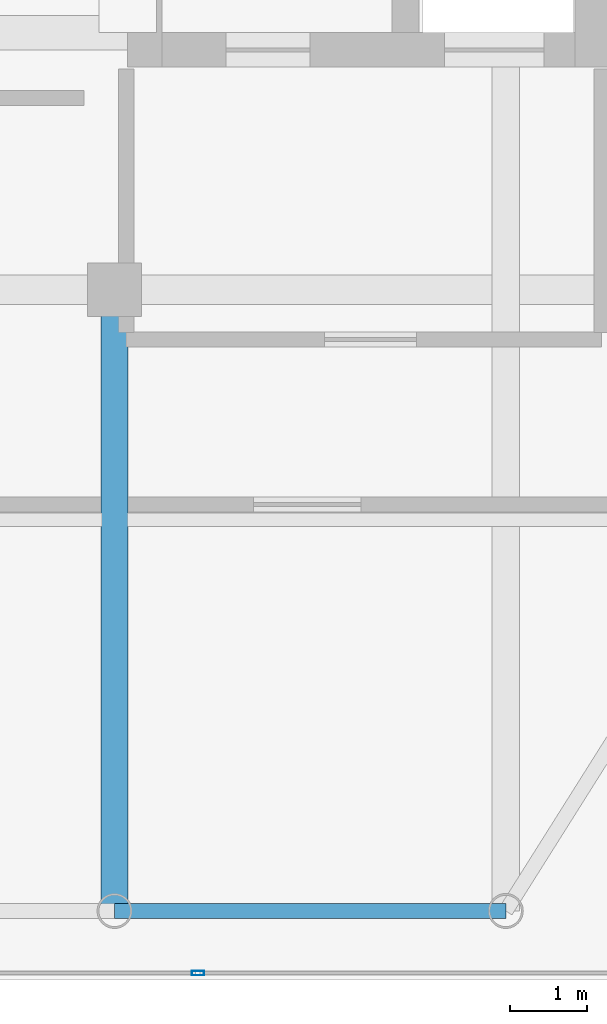
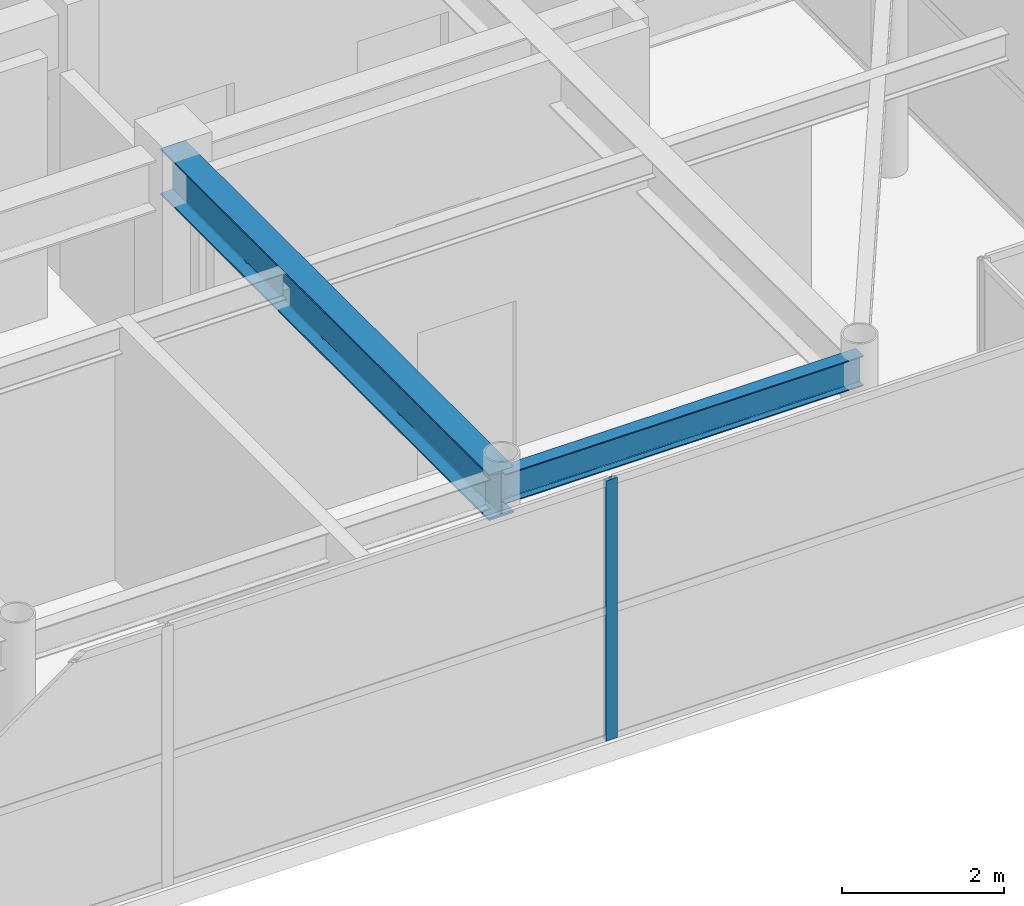
# One storey, part 9 of 33: 2 beams, 1 member, 1 element without a shape of its own.
"""IFC4 building model written with IfcOpenShell, lengths in metres."""

import ifcopenshell
import ifcopenshell.guid

model = None  # the IFC model being written
_history = None  # IfcOwnerHistory: only IFC2X3 demands one
_inside = {}  # id of a spatial element -> (the spatial element, [elements in it])
_under = {}  # id of a project, library or spatial element -> (it, [spatial elements below it])
_declared = {}  # id of a project -> (the project, [libraries it declares])
_typed = {}  # id of a type object -> (the type object, [elements of that type])
_made_of = {}  # id of a material, layer set ... -> (it, [elements and type objects made of it])


def new_model(schema):
    """Start an empty IFC model of exactly this schema.

    Asked for "IFC4X3", IfcOpenShell would pick the latest addendum, in which some entities
    have other attributes; the version numbers below select the first issue.
    IFC2X3 requires an IfcOwnerHistory on every rooted entity: one is made here for all.
    """
    global model, _history
    if schema == "IFC4X3":
        model = ifcopenshell.file(schema_version=(4, 3, 0, 0))
    else:
        model = ifcopenshell.file(schema=schema)
    _inside.clear()
    _under.clear()
    _declared.clear()
    _typed.clear()
    _made_of.clear()
    _history = None
    if model.schema == "IFC2X3":
        org = make("IfcOrganization", Name="unknown")
        user = make(
            "IfcPersonAndOrganization",
            ThePerson=make("IfcPerson", FamilyName="unknown"),
            TheOrganization=org,
        )
        app = make(
            "IfcApplication",
            ApplicationDeveloper=org,
            Version="unknown",
            ApplicationFullName="unknown",
            ApplicationIdentifier="unknown",
        )
        _history = make(
            "IfcOwnerHistory",
            OwningUser=user,
            OwningApplication=app,
            ChangeAction="ADDED",
            CreationDate=0,
        )
    return model


def make(cls, **values):
    """One entity of the class cls with the attributes given. An attribute that is None is left unset."""
    return model.create_entity(
        cls, **{name: value for name, value in values.items() if value is not None}
    )


def rooted(cls, **values):
    """An entity with a GlobalId (a new one), such as an element, a storey or a relation."""
    return make(cls, GlobalId=ifcopenshell.guid.new(), OwnerHistory=_history, **values)


def si_unit(unit_type, name, prefix=None):
    """IfcSIUnit, for example si_unit("LENGTHUNIT", "METRE", prefix="MILLI")."""
    return make("IfcSIUnit", UnitType=unit_type, Prefix=prefix, Name=name)


def assignment(units):
    """IfcUnitAssignment: the units of a project."""
    return None if units is None else make("IfcUnitAssignment", Units=units)


def point(xyz):
    """IfcCartesianPoint."""
    return None if xyz is None else make("IfcCartesianPoint", Coordinates=xyz)


def direction(xyz):
    """IfcDirection."""
    return None if xyz is None else make("IfcDirection", DirectionRatios=xyz)


def frame(location, z_axis=None, x_axis=None):
    """IfcAxis2Placement3D, a coordinate frame: its origin and axes. An axis left out is left unset."""
    return make(
        "IfcAxis2Placement3D",
        Location=point(location),
        Axis=direction(z_axis),
        RefDirection=direction(x_axis),
    )


def frame_2d(location, x_axis=None):
    """IfcAxis2Placement2D, a coordinate frame in the plane: its origin and x axis."""
    return make(
        "IfcAxis2Placement2D", Location=point(location), RefDirection=direction(x_axis)
    )


def origin():
    """The frame at (0, 0, 0) with its axes left unset."""
    return frame((0.0, 0.0, 0.0))


def origin_2d():
    """The frame at (0, 0) in the plane with its x axis left unset."""
    return frame_2d((0.0, 0.0))


def place(relative_to, where):
    """IfcLocalPlacement: puts the frame where relative to a parent placement (None: the world)."""
    return make(
        "IfcLocalPlacement", PlacementRelTo=relative_to, RelativePlacement=where
    )


def context(
    kind, dimensions, precision=None, world=None, true_north=None, identifier=None
):
    """IfcGeometricRepresentationContext, for example the 3D "Model" context."""
    return make(
        "IfcGeometricRepresentationContext",
        ContextIdentifier=identifier,
        ContextType=kind,
        CoordinateSpaceDimension=dimensions,
        Precision=precision,
        WorldCoordinateSystem=world,
        TrueNorth=true_north,
    )


def subcontext(parent, identifier, kind, view, scale=None):
    """IfcGeometricRepresentationSubContext, for example "Body" below "Model"."""
    return make(
        "IfcGeometricRepresentationSubContext",
        ContextIdentifier=identifier,
        ContextType=kind,
        ParentContext=parent,
        TargetScale=scale,
        TargetView=view,
    )


def project(units=None, contexts=None):
    """IfcProject with its units and contexts."""
    return rooted(
        "IfcProject",
        Name="project",
        RepresentationContexts=contexts,
        UnitsInContext=assignment(units),
    )


def spatial(cls, under=None, at=None, **own):
    """A site, building, storey or space (cls), placed at a placement, below another one or the project."""
    s = rooted(cls, ObjectPlacement=at, **own)
    if under is not None:
        _under.setdefault(under.id(), (under, []))[1].append(s)
    return s


def profile(cls, at=None, kind="AREA", **sizes):
    """A parametric profile (cls). Its sizes go by their IFC names, for example OverallWidth=200.0."""
    return make(cls, ProfileType=kind, Position=at, **sizes)


def hollow_rectangle(**sizes):
    """IfcRectangleHollowProfileDef."""
    return profile("IfcRectangleHollowProfileDef", **sizes)


def i_section(**sizes):
    """IfcIShapeProfileDef."""
    return profile("IfcIShapeProfileDef", **sizes)


def extrude(swept, where, along, depth):
    """IfcExtrudedAreaSolid: the profile swept, set in the frame where, extruded along a direction by depth."""
    return make(
        "IfcExtrudedAreaSolid",
        SweptArea=swept,
        Position=where,
        ExtrudedDirection=direction(along),
        Depth=depth,
    )


def shape(context_of_items, identifier, shape_type, items):
    """IfcShapeRepresentation: the items that make up one representation, for example the "Body"."""
    return make(
        "IfcShapeRepresentation",
        ContextOfItems=context_of_items,
        RepresentationIdentifier=identifier,
        RepresentationType=shape_type,
        Items=items,
    )


def source(mapping_origin, context_of_items, identifier, shape_type, items):
    """IfcRepresentationMap: a shape defined once, which mapped items show again and again."""
    return make(
        "IfcRepresentationMap",
        MappingOrigin=mapping_origin,
        MappedRepresentation=shape(context_of_items, identifier, shape_type, items),
    )


def transform(
    local_origin,
    x_axis=None,
    y_axis=None,
    z_axis=None,
    scale=None,
    scale2=None,
    scale3=None,
    uniform=True,
):
    """IfcCartesianTransformationOperator3D, or its non-uniform kind. x_axis, y_axis, z_axis: its Axis1, 2, 3."""
    if uniform:
        return make(
            "IfcCartesianTransformationOperator3D",
            Axis1=direction(x_axis),
            Axis2=direction(y_axis),
            LocalOrigin=point(local_origin),
            Scale=scale,
            Axis3=direction(z_axis),
        )
    return make(
        "IfcCartesianTransformationOperator3DnonUniform",
        Axis1=direction(x_axis),
        Axis2=direction(y_axis),
        LocalOrigin=point(local_origin),
        Scale=scale,
        Axis3=direction(z_axis),
        Scale2=scale2,
        Scale3=scale3,
    )


def mapped(mapping_source, mapping_target):
    """IfcMappedItem: shows the shape of a source again, moved by a transform."""
    return make(
        "IfcMappedItem", MappingSource=mapping_source, MappingTarget=mapping_target
    )


def material(Name=None, Category=None):
    """IfcMaterial."""
    return make("IfcMaterial", Name=Name, Category=Category)


def layer(
    of_material, thickness, ventilated=None, Name=None, Category=None, Priority=None
):
    """IfcMaterialLayer: one layer of a wall or slab, of a material (None: an air gap)."""
    return make(
        "IfcMaterialLayer",
        Material=of_material,
        LayerThickness=thickness,
        IsVentilated=ventilated,
        Name=Name,
        Category=Category,
        Priority=Priority,
    )


def layer_set(layers, Name=None):
    """IfcMaterialLayerSet."""
    return make("IfcMaterialLayerSet", MaterialLayers=layers, LayerSetName=Name)


def material_profile(
    of_material, cross_section, Name=None, Category=None, Priority=None
):
    """IfcMaterialProfile: a cross section and its material."""
    return make(
        "IfcMaterialProfile",
        Name=Name,
        Material=of_material,
        Profile=cross_section,
        Priority=Priority,
        Category=Category,
    )


def profile_set(profiles, Name=None, composite=None):
    """IfcMaterialProfileSet."""
    return make(
        "IfcMaterialProfileSet",
        Name=Name,
        MaterialProfiles=profiles,
        CompositeProfile=composite,
    )


def made_of(thing, what):
    """Note that an element or type object is made of a material, layer set ...; save() writes the relation."""
    if what is not None:
        _made_of.setdefault(what.id(), (what, []))[1].append(thing)
    return thing


def type_object(cls, material=None, **own):
    """A type object (cls), such as IfcWallType, which elements share."""
    return made_of(rooted(cls, **own), material)


def element(
    cls,
    number,
    at=None,
    inside=None,
    cuts=None,
    type_object=None,
    material=None,
    context=None,
    identifier="Body",
    shape_type=None,
    held_by="IfcProductDefinitionShape",
    body=None,
    shapes=None,
    **own,
):
    """One element of the class cls, such as IfcWall. Its Tag is "e" and its number.

    at: its placement. inside: the storey or other place that contains it. cuts: it is an
    opening in that element (IfcRelVoidsElement). A single representation is given by context,
    identifier, shape_type and body (its items); several are given by shapes. held_by: the class
    of the entity that holds the representations. save() writes the other relations.
    """
    e = rooted(cls, Tag="e%d" % number, ObjectPlacement=at, **own)
    if body is not None:
        shapes = [shape(context, identifier, shape_type, body)]
    if shapes is not None:
        e.Representation = make(held_by, Representations=shapes)
    if inside is not None:
        _inside.setdefault(inside.id(), (inside, []))[1].append(e)
    if cuts is not None:
        rooted(
            "IfcRelVoidsElement", RelatingBuildingElement=cuts, RelatedOpeningElement=e
        )
    if type_object is not None:
        _typed.setdefault(type_object.id(), (type_object, []))[1].append(e)
    return made_of(e, material)


def aggregate(whole, parts):
    """IfcRelAggregates: a whole, such as a stair, and the parts it consists of."""
    return rooted("IfcRelAggregates", RelatingObject=whole, RelatedObjects=parts)


def save(model, path):
    """Write the relations noted so far, then the file.

    IfcRelAggregates (storeys below a building ...), IfcRelContainedInSpatialStructure (elements
    in a storey), IfcRelDefinesByType, IfcRelAssociatesMaterial and IfcRelDeclares: one each for
    every whole, place, type object, material and project.
    """
    for whole, parts in _under.values():
        aggregate(whole, parts)
    for where, things in _inside.values():
        rooted(
            "IfcRelContainedInSpatialStructure",
            RelatedElements=things,
            RelatingStructure=where,
        )
    for kind, things in _typed.values():
        rooted("IfcRelDefinesByType", RelatedObjects=things, RelatingType=kind)
    for what, things in _made_of.values():
        rooted("IfcRelAssociatesMaterial", RelatedObjects=things, RelatingMaterial=what)
    for by, libraries in _declared.values():
        rooted("IfcRelDeclares", RelatingContext=by, RelatedDefinitions=libraries)
    model.write(path)


model = new_model("IFC4")

# Units and contexts
model_context = context("Model", 3, precision=1e-05, world=origin(), true_north=direction((0.0, 1.0)))
body_context = subcontext(model_context, "Body", "Model", "MODEL_VIEW")
ifc_project = project(units=[si_unit("LENGTHUNIT", "METRE"), si_unit("AREAUNIT", "SQUARE_METRE"), si_unit("VOLUMEUNIT", "CUBIC_METRE"), si_unit("PLANEANGLEUNIT", "RADIAN"), si_unit("MASSUNIT", "GRAM", prefix="KILO")], contexts=[model_context])

# Site, building, storey
site_placement = place(None, origin())
site = spatial("IfcSite", under=ifc_project, at=site_placement, CompositionType="ELEMENT")
building_placement = place(site_placement, origin())
building = spatial("IfcBuilding", under=site, at=building_placement, Name="Khoralis Quay Care Tower", CompositionType="ELEMENT")
storey_placement = place(building_placement, frame((0.0, 0.0, 302.10009765625)))
storey = spatial("IfcBuildingStorey", under=building, at=storey_placement, Name="L79", CompositionType="ELEMENT", Elevation=302.10009765625)

# Beams
ifc_material_1 = material(Name="Steel S355", Category="steel")
ifc_material_profile_1 = material_profile(ifc_material_1, i_section(OverallWidth=0.18994140625, OverallDepth=0.449951171875, WebThickness=0.009521484375, FlangeThickness=0.0146484375, FilletRadius=0.02099609375, at=origin_2d()), Name="Steel S355")
ifc_profile_set_1 = profile_set([ifc_material_profile_1], Name="Steel S355")
beam_type_1 = type_object("IfcBeamType", Name="BM-IPE450", PredefinedType="SPANDREL", material=ifc_profile_set_1)
shared_shape_1 = source(origin(), body_context, "Body", "SweptSolid", [
    extrude(i_section(OverallWidth=0.18994140625, OverallDepth=0.449951171875, WebThickness=0.009521484375, FlangeThickness=0.0146484375, FilletRadius=0.02099609375, at=origin_2d()), origin(), (0.0, 0.0, 1.0), 5.10009765625),
])
beam_1_placement = place(storey_placement, frame((30.89990234375, 3.89990234375, 3.69482421875), z_axis=(1.0, 0.0, 0.0), x_axis=(0.0, 1.0, 0.0)))
element("IfcBeam", 1, at=beam_1_placement, inside=storey, type_object=beam_type_1, Name="BM-TSP-L79-04", PredefinedType="SPANDREL", context=body_context, shape_type="MappedRepresentation", body=[
    mapped(shared_shape_1, transform((0.0, 0.0, 0.0), scale=1.0)),
])
ifc_material_profile_2 = material_profile(ifc_material_1, i_section(OverallWidth=0.35498046875, OverallDepth=0.695068359375, WebThickness=0.015380859375, FlangeThickness=0.02490234375, FilletRadius=0.02001953125, at=origin_2d()), Name="Steel S355")
ifc_profile_set_2 = profile_set([ifc_material_profile_2], Name="Steel S355")
beam_type_2 = type_object("IfcBeamType", Name="BM-W690X217", PredefinedType="BEAM", material=ifc_profile_set_2)
shared_shape_2 = source(origin(), body_context, "Body", "SweptSolid", [
    extrude(i_section(OverallWidth=0.35498046875, OverallDepth=0.695068359375, WebThickness=0.015380859375, FlangeThickness=0.02490234375, FilletRadius=0.02001953125, at=origin_2d()), origin(), (0.0, 0.0, 1.0), 8.10009765625),
])
beam_2_placement = place(storey_placement, frame((30.89990234375, 3.89990234375, 3.572509765625), z_axis=(0.0, 1.0, 0.0), x_axis=(-1.0, 0.0, 0.0)))
element("IfcBeam", 2, at=beam_2_placement, inside=storey, type_object=beam_type_2, Name="BM-TGYS-L79-309", PredefinedType="BEAM", context=body_context, shape_type="MappedRepresentation", body=[
    mapped(shared_shape_2, transform((0.0, 0.0, 0.0), scale=1.0)),
])

# Curtain wall, member
ifc_material_2 = material(Name="Pale anodised aluminium", Category="aluminium")
ifc_layer = layer(ifc_material_2, 0.199951171875)
ifc_layer_set = layer_set([ifc_layer], Name="Pale anodised aluminium")
curtain_wall_type = type_object("IfcCurtainWallType", Name="CW-SYS-LANTERN", PredefinedType="NOTDEFINED", material=ifc_layer_set)
curtain_wall_placement = place(storey_placement, origin())
curtain_wall = element("IfcCurtainWall", 3, at=curtain_wall_placement, inside=storey, type_object=curtain_wall_type, Name="L79 Unitised Curtain Wall CW-LN-L79-01", PredefinedType="NOTDEFINED")
ifc_material_profile_3 = material_profile(ifc_material_2, hollow_rectangle(XDim=0.06005859375, YDim=0.159912109375, WallThickness=0.00390625, at=origin_2d()), Name="Pale anodised aluminium")
ifc_profile_set_3 = profile_set([ifc_material_profile_3], Name="Pale anodised aluminium")
member_type = type_object("IfcMemberType", Name="CW-MUL-160", PredefinedType="MULLION", material=ifc_profile_set_3)
shared_shape_3 = source(origin(), body_context, "Body", "SweptSolid", [
    extrude(hollow_rectangle(XDim=0.06005859375, YDim=0.159912109375, WallThickness=0.00390625, at=origin_2d()), origin(), (0.0, 0.0, 1.0), 3.919921875),
])
member_placement = place(storey_placement, frame((31.986083984375, 3.090087890625, 0.0), z_axis=(0.0, 0.0, 1.0), x_axis=(0.0, 1.0, 0.0)))
member = element("IfcMember", 4, at=member_placement, type_object=member_type, Name="CW5 mullion 5", PredefinedType="MULLION", context=body_context, shape_type="MappedRepresentation", body=[
    mapped(shared_shape_3, transform((0.0, 0.0, 0.0), scale=1.0)),
])
aggregate(curtain_wall, [member])

save(model, "model.ifc")
